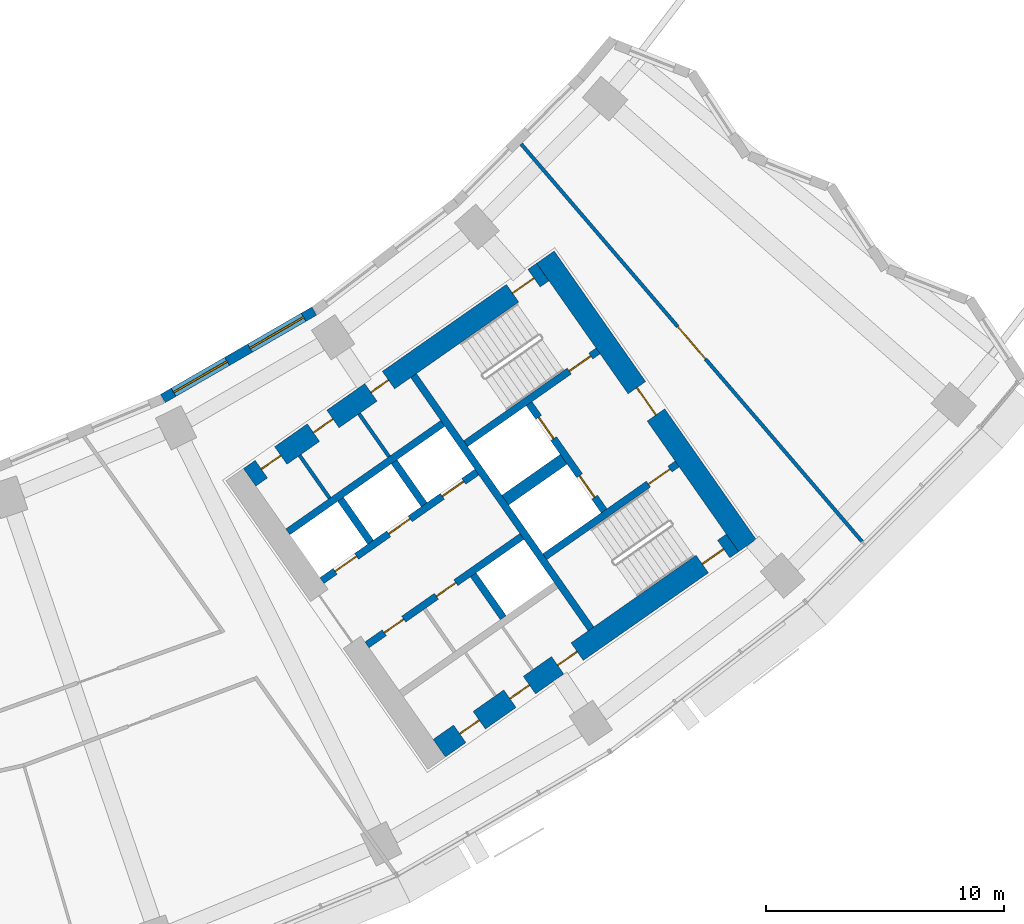
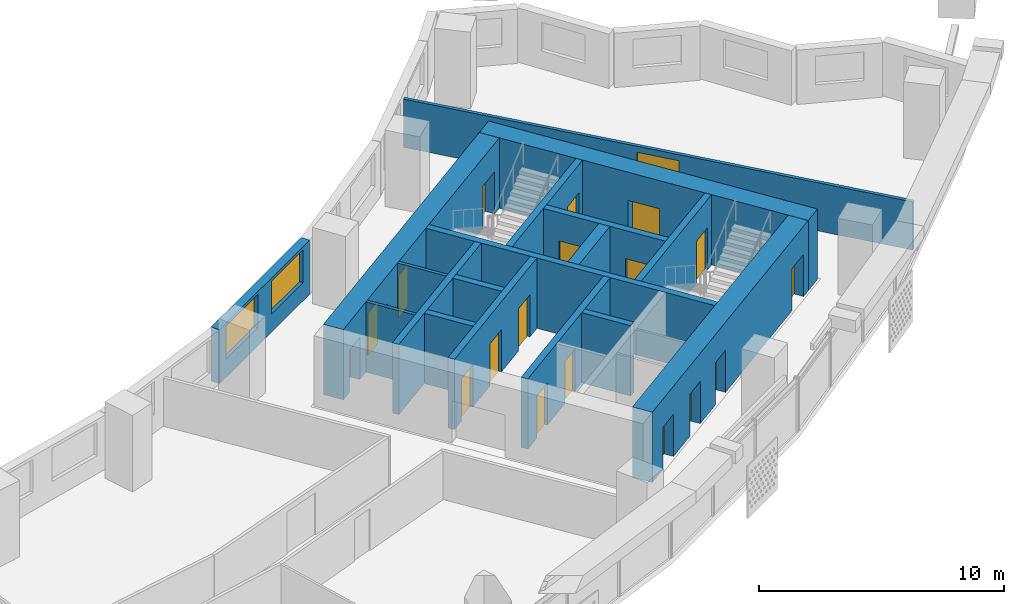
# One storey, part 7 of 29: 19 doors, 18 walls, 2 windows, 21 openings.
"""IFC4 building model written with IfcOpenShell, lengths in metres."""

from ifc_helpers import new_model, si_unit, direction, frame, frame_2d, origin, place, context, subcontext, project, spatial, rectangle, extrude, material, layer, layer_set, type_object, element, fill, save


model = new_model("IFC4")

# Units and contexts
model_context = context("Model", 3, precision=1e-05, world=origin(), true_north=direction((0.0, 1.0)))
body_context = subcontext(model_context, "Body", "Model", "MODEL_VIEW")
ifc_project = project(units=[si_unit("LENGTHUNIT", "METRE"), si_unit("AREAUNIT", "SQUARE_METRE"), si_unit("VOLUMEUNIT", "CUBIC_METRE"), si_unit("PLANEANGLEUNIT", "RADIAN"), si_unit("MASSUNIT", "GRAM", prefix="KILO")], contexts=[model_context])

# Site, building, storey
site_placement = place(None, origin())
site = spatial("IfcSite", under=ifc_project, at=site_placement, CompositionType="ELEMENT")
building_placement = place(site_placement, origin())
building = spatial("IfcBuilding", under=site, at=building_placement, Name="Qamariyya Broadcast Tower", CompositionType="ELEMENT")
storey_placement = place(building_placement, frame((0.0, 0.0, 121.5)))
storey = spatial("IfcBuildingStorey", under=building, at=storey_placement, Name="L27", CompositionType="ELEMENT", Elevation=121.5)

# Wall, opening, door
ifc_material_1 = material(Name="Concrete C70/85", Category="concrete")
ifc_layer_1 = layer(ifc_material_1, 0.89990234375)
ifc_layer_set_1 = layer_set([ifc_layer_1], Name="Core wall 900 mm Concrete C70/85")
wall_type_1 = type_object("IfcWallType", Name="Core wall 900 mm Concrete C70/85", PredefinedType="SHEAR", material=ifc_layer_set_1)
wall_1_placement = place(storey_placement, frame((49.778564453125, -57.191162109375, 0.0), z_axis=(0.0, 0.0, 1.0), x_axis=(-0.573577477574, 0.819151315216, 0.0)))
wall_1 = element("IfcWall", 1, at=wall_1_placement, inside=storey, type_object=wall_type_1, Name="k-E-L27-WH", PredefinedType="SHEAR", context=body_context, shape_type="SweptSolid", body=[
    extrude(rectangle(XDim=14.800048828125, YDim=0.89990234375, at=frame_2d((7.39990234375, 0.0))), origin(), (0.0, 0.0, 1.0), 3.5),
])
opening_1_placement = place(wall_1_placement, frame((6.699951171875, 0.0, 0.0)))
opening_1 = element("IfcOpeningElement", 2, at=opening_1_placement, cuts=wall_1, Name="Opening KD2-E1", PredefinedType="OPENING", context=body_context, shape_type="SweptSolid", body=[
    extrude(rectangle(XDim=1.39990234375, YDim=2.10009765625, at=frame_2d((0.699951171875, 1.050048828125))), frame((0.0, 0.4599609375, 0.0), z_axis=(0.0, -1.0, 0.0), x_axis=(1.0, 0.0, 0.0)), (0.0, 0.0, 1.0), 0.919921875),
])
ifc_material_2 = material(Name="Steel fire-resisting door leaf", Category="steel")
door_type_1 = type_object("IfcDoorType", Name="Fire-fighting lobby door KD2", OperationType="DOUBLE_DOOR_SINGLE_SWING", PredefinedType="DOOR", material=ifc_material_2)
door_1_placement = place(opening_1_placement, origin())
door_1 = element("IfcDoor", 3, at=door_1_placement, inside=storey, type_object=door_type_1, Name="k-E-L27-WH-D15", OperationType="DOUBLE_DOOR_SINGLE_SWING", OverallHeight=2.10009765625, OverallWidth=1.39990234375, PredefinedType="DOOR", context=body_context, shape_type="SweptSolid", body=[
    extrude(rectangle(XDim=1.39990234375, YDim=2.10009765625, at=frame_2d((0.699951171875, 1.050048828125))), frame((0.0, 0.02490234375, 0.0), z_axis=(0.0, -1.0, 0.0), x_axis=(1.0, 0.0, 0.0)), (0.0, 0.0, 1.0), 0.050048828125),
])
fill(opening_1, door_1)

# Wall, openings, doors
wall_2_placement = place(storey_placement, frame((28.8544921875, -54.32421875, 0.0), z_axis=(0.0, 0.0, 1.0), x_axis=(0.819145767589, 0.573585400304, 0.0)))
wall_2 = element("IfcWall", 4, at=wall_2_placement, inside=storey, type_object=wall_type_1, Name="k-E-L27-WI", PredefinedType="SHEAR", context=body_context, shape_type="SweptSolid", body=[
    extrude(rectangle(XDim=15.04541015625, YDim=0.89990234375, at=frame_2d((7.522705078125, 0.0))), origin(), (0.0, 0.0, 1.0), 3.5),
])
opening_2_placement = place(wall_2_placement, frame((0.60009765625, 0.0, 0.0)))
opening_2 = element("IfcOpeningElement", 5, at=opening_2_placement, cuts=wall_2, Name="Opening KD7-E1", PredefinedType="OPENING", context=body_context, shape_type="SweptSolid", body=[
    extrude(rectangle(XDim=1.0, YDim=2.10009765625, at=frame_2d((0.5, 1.050048828125))), frame((0.0, 0.4599609375, 0.0), z_axis=(0.0, -1.0, 0.0), x_axis=(1.0, 0.0, 0.0)), (0.0, 0.0, 1.0), 0.919921875),
])
opening_3_placement = place(wall_2_placement, frame((3.27490234375, 0.0, 0.0)))
opening_3 = element("IfcOpeningElement", 6, at=opening_3_placement, cuts=wall_2, Name="Opening KD6-E2", PredefinedType="OPENING", context=body_context, shape_type="SweptSolid", body=[
    extrude(rectangle(XDim=1.0, YDim=2.10009765625, at=frame_2d((0.5, 1.050048828125))), frame((0.0, 0.4599609375, 0.0), z_axis=(0.0, -1.0, 0.0), x_axis=(1.0, 0.0, 0.0)), (0.0, 0.0, 1.0), 0.919921875),
])
opening_4_placement = place(wall_2_placement, frame((6.22509765625, 0.0, 0.0)))
opening_4 = element("IfcOpeningElement", 7, at=opening_4_placement, cuts=wall_2, Name="Opening KD5-E1", PredefinedType="OPENING", context=body_context, shape_type="SweptSolid", body=[
    extrude(rectangle(XDim=0.89990234375, YDim=2.10009765625, at=frame_2d((0.449951171875, 1.050048828125))), frame((0.0, 0.4599609375, 0.0), z_axis=(0.0, -1.0, 0.0), x_axis=(1.0, 0.0, 0.0)), (0.0, 0.0, 1.0), 0.919921875),
])
opening_5_placement = place(wall_2_placement, frame((13.495361328125, 0.0, 0.0)))
opening_5 = element("IfcOpeningElement", 8, at=opening_5_placement, cuts=wall_2, Name="Opening KD1-E1", PredefinedType="OPENING", context=body_context, shape_type="SweptSolid", body=[
    extrude(rectangle(XDim=1.10009765625, YDim=2.10009765625, at=frame_2d((0.550048828125, 1.050048828125))), frame((0.0, 0.4599609375, 0.0), z_axis=(0.0, -1.0, 0.0), x_axis=(1.0, 0.0, 0.0)), (0.0, 0.0, 1.0), 0.919921875),
])
door_type_2 = type_object("IfcDoorType", Name="Accessible toilet door KD7", OperationType="SINGLE_SWING_LEFT", PredefinedType="DOOR", material=ifc_material_2)
door_2_placement = place(opening_2_placement, origin())
door_2 = element("IfcDoor", 9, at=door_2_placement, inside=storey, type_object=door_type_2, Name="k-E-L27-WI-D7", OperationType="SINGLE_SWING_LEFT", OverallHeight=2.10009765625, OverallWidth=1.0, PredefinedType="DOOR", context=body_context, shape_type="SweptSolid", body=[
    extrude(rectangle(XDim=1.0, YDim=2.10009765625, at=frame_2d((0.5, 1.050048828125))), frame((0.0, 0.02490234375, 0.0), z_axis=(0.0, -1.0, 0.0), x_axis=(1.0, 0.0, 0.0)), (0.0, 0.0, 1.0), 0.050048828125),
])
fill(opening_2, door_2)
door_type_3 = type_object("IfcDoorType", Name="Core room door KD6", OperationType="SINGLE_SWING_LEFT", PredefinedType="DOOR", material=ifc_material_2)
door_3_placement = place(opening_3_placement, origin())
door_3 = element("IfcDoor", 10, at=door_3_placement, inside=storey, type_object=door_type_3, Name="k-E-L27-WI-D8", OperationType="SINGLE_SWING_RIGHT", OverallHeight=2.10009765625, OverallWidth=1.0, PredefinedType="DOOR", context=body_context, shape_type="SweptSolid", body=[
    extrude(rectangle(XDim=1.0, YDim=2.10009765625, at=frame_2d((0.5, 1.050048828125))), frame((0.0, 0.02490234375, 0.0), z_axis=(0.0, -1.0, 0.0), x_axis=(1.0, 0.0, 0.0)), (0.0, 0.0, 1.0), 0.050048828125),
])
fill(opening_3, door_3)
door_type_4 = type_object("IfcDoorType", Name="Stair door KD1", OperationType="SINGLE_SWING_LEFT", PredefinedType="DOOR", material=ifc_material_2)
door_4_placement = place(opening_5_placement, origin())
door_4 = element("IfcDoor", 11, at=door_4_placement, inside=storey, type_object=door_type_4, Name="k-E-L27-WI-D16", OperationType="SINGLE_SWING_RIGHT", OverallHeight=2.10009765625, OverallWidth=1.10009765625, PredefinedType="DOOR", context=body_context, shape_type="SweptSolid", body=[
    extrude(rectangle(XDim=1.10009765625, YDim=2.10009765625, at=frame_2d((0.550048828125, 1.050048828125))), frame((0.0, 0.02490234375, 0.0), z_axis=(0.0, -1.0, 0.0), x_axis=(1.0, 0.0, 0.0)), (0.0, 0.0, 1.0), 0.050048828125),
])
fill(opening_5, door_4)
door_type_5 = type_object("IfcDoorType", Name="Toilet door KD5", OperationType="SINGLE_SWING_LEFT", PredefinedType="DOOR", material=ifc_material_2)
door_5_placement = place(opening_4_placement, origin())
door_5 = element("IfcDoor", 12, at=door_5_placement, inside=storey, type_object=door_type_5, Name="k-E-L27-WI-D9", OperationType="SINGLE_SWING_LEFT", OverallHeight=2.10009765625, OverallWidth=0.89990234375, PredefinedType="DOOR", context=body_context, shape_type="SweptSolid", body=[
    extrude(rectangle(XDim=0.89990234375, YDim=2.10009765625, at=frame_2d((0.449951171875, 1.050048828125))), frame((0.0, 0.02490234375, 0.0), z_axis=(0.0, -1.0, 0.0), x_axis=(1.0, 0.0, 0.0)), (0.0, 0.0, 1.0), 0.050048828125),
])
fill(opening_4, door_5)

wall_3_placement = place(storey_placement, frame((36.827392578125, -65.710205078125, 0.0), z_axis=(0.0, 0.0, 1.0), x_axis=(0.819153391756, 0.573574511963, 0.0)))
wall_3 = element("IfcWall", 13, at=wall_3_placement, inside=storey, type_object=wall_type_1, Name="k-E-L27-WO", PredefinedType="SHEAR", context=body_context, shape_type="SweptSolid", body=[
    extrude(rectangle(XDim=15.04541015625, YDim=0.89990234375, at=frame_2d((7.522705078125, 0.0))), origin(), (0.0, 0.0, 1.0), 3.5),
])
opening_6_placement = place(wall_3_placement, frame((1.050048828125, 0.0, 0.0)))
opening_6 = element("IfcOpeningElement", 14, at=opening_6_placement, cuts=wall_3, Name="Opening KD4-E2", PredefinedType="OPENING", context=body_context, shape_type="SweptSolid", body=[
    extrude(rectangle(XDim=1.0, YDim=2.10009765625, at=frame_2d((0.5, 1.050048828125))), frame((0.0, 0.4599609375, 0.0), z_axis=(0.0, -1.0, 0.0), x_axis=(1.0, 0.0, 0.0)), (0.0, 0.0, 1.0), 0.919921875),
])
opening_7_placement = place(wall_3_placement, frame((3.625, 0.0, 0.0)))
opening_7 = element("IfcOpeningElement", 15, at=opening_7_placement, cuts=wall_3, Name="Opening KD4-E3", PredefinedType="OPENING", context=body_context, shape_type="SweptSolid", body=[
    extrude(rectangle(XDim=1.0, YDim=2.10009765625, at=frame_2d((0.5, 1.050048828125))), frame((0.0, 0.4599609375, 0.0), z_axis=(0.0, -1.0, 0.0), x_axis=(1.0, 0.0, 0.0)), (0.0, 0.0, 1.0), 0.919921875),
])
opening_8_placement = place(wall_3_placement, frame((6.074951171875, 0.0, 0.0)))
opening_8 = element("IfcOpeningElement", 16, at=opening_8_placement, cuts=wall_3, Name="Opening KD6-E3", PredefinedType="OPENING", context=body_context, shape_type="SweptSolid", body=[
    extrude(rectangle(XDim=1.0, YDim=2.10009765625, at=frame_2d((0.5, 1.050048828125))), frame((0.0, 0.4599609375, 0.0), z_axis=(0.0, -1.0, 0.0), x_axis=(1.0, 0.0, 0.0)), (0.0, 0.0, 1.0), 0.919921875),
])
opening_9_placement = place(wall_3_placement, frame((13.495361328125, 0.0, 0.0)))
opening_9 = element("IfcOpeningElement", 17, at=opening_9_placement, cuts=wall_3, Name="Opening KD1-E3", PredefinedType="OPENING", context=body_context, shape_type="SweptSolid", body=[
    extrude(rectangle(XDim=1.10009765625, YDim=2.10009765625, at=frame_2d((0.550048828125, 1.050048828125))), frame((0.0, 0.4599609375, 0.0), z_axis=(0.0, -1.0, 0.0), x_axis=(1.0, 0.0, 0.0)), (0.0, 0.0, 1.0), 0.919921875),
])
door_6_placement = place(opening_8_placement, origin())
door_6 = element("IfcDoor", 18, at=door_6_placement, inside=storey, type_object=door_type_3, Name="k-E-L27-WO-D12", OperationType="SINGLE_SWING_RIGHT", OverallHeight=2.10009765625, OverallWidth=1.0, PredefinedType="DOOR", context=body_context, shape_type="SweptSolid", body=[
    extrude(rectangle(XDim=1.0, YDim=2.10009765625, at=frame_2d((0.5, 1.050048828125))), frame((0.0, 0.02490234375, 0.0), z_axis=(0.0, -1.0, 0.0), x_axis=(1.0, 0.0, 0.0)), (0.0, 0.0, 1.0), 0.050048828125),
])
fill(opening_8, door_6)
door_type_6 = type_object("IfcDoorType", Name="Riser and plant door KD4", OperationType="SINGLE_SWING_LEFT", PredefinedType="DOOR", material=ifc_material_2)
door_7_placement = place(opening_6_placement, origin())
door_7 = element("IfcDoor", 19, at=door_7_placement, inside=storey, type_object=door_type_6, Name="k-E-L27-WO-D10", OperationType="SINGLE_SWING_RIGHT", OverallHeight=2.10009765625, OverallWidth=1.0, PredefinedType="DOOR", context=body_context, shape_type="SweptSolid", body=[
    extrude(rectangle(XDim=1.0, YDim=2.10009765625, at=frame_2d((0.5, 1.050048828125))), frame((0.0, 0.02490234375, 0.0), z_axis=(0.0, -1.0, 0.0), x_axis=(1.0, 0.0, 0.0)), (0.0, 0.0, 1.0), 0.050048828125),
])
fill(opening_6, door_7)
door_8_placement = place(opening_7_placement, origin())
door_8 = element("IfcDoor", 20, at=door_8_placement, inside=storey, type_object=door_type_6, Name="k-E-L27-WO-D11", OperationType="SINGLE_SWING_LEFT", OverallHeight=2.10009765625, OverallWidth=1.0, PredefinedType="DOOR", context=body_context, shape_type="SweptSolid", body=[
    extrude(rectangle(XDim=1.0, YDim=2.10009765625, at=frame_2d((0.5, 1.050048828125))), frame((0.0, 0.02490234375, 0.0), z_axis=(0.0, -1.0, 0.0), x_axis=(1.0, 0.0, 0.0)), (0.0, 0.0, 1.0), 0.050048828125),
])
fill(opening_7, door_8)
door_9_placement = place(opening_9_placement, origin())
door_9 = element("IfcDoor", 21, at=door_9_placement, inside=storey, type_object=door_type_4, Name="k-E-L27-WO-D18", OperationType="SINGLE_SWING_LEFT", OverallHeight=2.10009765625, OverallWidth=1.10009765625, PredefinedType="DOOR", context=body_context, shape_type="SweptSolid", body=[
    extrude(rectangle(XDim=1.10009765625, YDim=2.10009765625, at=frame_2d((0.550048828125, 1.050048828125))), frame((0.0, 0.02490234375, 0.0), z_axis=(0.0, -1.0, 0.0), x_axis=(1.0, 0.0, 0.0)), (0.0, 0.0, 1.0), 0.050048828125),
])
fill(opening_9, door_9)

# Wall, opening, door
ifc_material_3 = material(Name="Gypsum board partition")
ifc_layer_2 = layer(ifc_material_3, 0.14990234375)
ifc_layer_set_2 = layer_set([ifc_layer_2], Name="Corridor partition 150 EI 60")
wall_type_2 = type_object("IfcWallType", Name="Corridor partition 150 EI 60", PredefinedType="PARTITIONING", material=ifc_layer_set_2)
wall_4_placement = place(storey_placement, frame((40.267578125, -40.310791015625, 0.0), z_axis=(0.0, 0.0, 1.0), x_axis=(0.650987681244, -0.759088294514, 0.0)))
wall_4 = element("IfcWall", 22, at=wall_4_placement, inside=storey, type_object=wall_type_2, Name="Partition L27-036", PredefinedType="PARTITIONING", context=body_context, shape_type="SweptSolid", body=[
    extrude(rectangle(XDim=22.017822265625, YDim=0.14990234375, at=frame_2d((11.0087890625, 0.0))), origin(), (0.0, 0.0, 1.0), 2.39990234375),
])
opening_10_placement = place(wall_4_placement, frame((10.10888671875, 0.0, 0.0)))
opening_10 = element("IfcOpeningElement", 23, at=opening_10_placement, cuts=wall_4, Name="Opening L27-D16", PredefinedType="OPENING", context=body_context, shape_type="SweptSolid", body=[
    extrude(rectangle(XDim=1.800048828125, YDim=2.10009765625, at=frame_2d((0.89990234375, 1.050048828125))), frame((0.0, 0.0849609375, 0.0), z_axis=(0.0, -1.0, 0.0), x_axis=(1.0, 0.0, 0.0)), (0.0, 0.0, 1.0), 0.169921875),
])
ifc_material_4 = material(Name="Timber fire door leaf", Category="wood")
door_type_7 = type_object("IfcDoorType", Name="Double fire door 1800 x 2100 FD60", OperationType="NOTDEFINED", PredefinedType="DOOR", material=ifc_material_4)
door_10_placement = place(opening_10_placement, origin())
door_10 = element("IfcDoor", 24, at=door_10_placement, inside=storey, type_object=door_type_7, Name="Door L27-D16", OperationType="DOUBLE_DOOR_SINGLE_SWING", OverallHeight=2.10009765625, OverallWidth=1.800048828125, PredefinedType="DOOR", context=body_context, shape_type="SweptSolid", body=[
    extrude(rectangle(XDim=1.800048828125, YDim=2.10009765625, at=frame_2d((0.89990234375, 1.050048828125))), frame((0.0, 0.02490234375, 0.0), z_axis=(0.0, -1.0, 0.0), x_axis=(1.0, 0.0, 0.0)), (0.0, 0.0, 1.0), 0.050048828125),
])
fill(opening_10, door_10)

# Walls
ifc_material_5 = material(Name="Concrete C60/75", Category="concrete")
ifc_layer_3 = layer(ifc_material_5, 0.5)
ifc_layer_set_3 = layer_set([ifc_layer_3], Name="Fire-fighting lobby divider wall 500 mm Concrete C60/75")
wall_type_3 = type_object("IfcWallType", Name="Fire-fighting lobby divider wall 500 mm Concrete C60/75", PredefinedType="SOLIDWALL", material=ifc_layer_set_3)
wall_5_placement = place(storey_placement, frame((39.59912109375, -55.28515625, 0.0), z_axis=(0.0, 0.0, 1.0), x_axis=(0.819136323161, 0.573598887793, 0.0)))
element("IfcWall", 25, at=wall_5_placement, inside=storey, type_object=wall_type_3, Name="k-E-L27-FD", PredefinedType="SOLIDWALL", context=body_context, shape_type="SweptSolid", body=[
    extrude(rectangle(XDim=2.999755859375, YDim=0.5, at=frame_2d((1.5, 0.0))), origin(), (0.0, 0.0, 1.0), 3.5),
])
ifc_material_6 = material(Name="Gypsum board partition on steel studs", Category="steel")
ifc_layer_4 = layer(ifc_material_6, 0.14990234375)
ifc_layer_set_4 = layer_set([ifc_layer_4], Name="Gypsum board partition 150 mm")
wall_type_4 = type_object("IfcWallType", Name="Gypsum board partition 150 mm", PredefinedType="PARTITIONING", material=ifc_layer_set_4)
wall_6_placement = place(storey_placement, frame((32.2177734375, -55.204345703125, 0.0), z_axis=(0.0, 0.0, 1.0), x_axis=(-0.573581496053, 0.819148501424, 0.0)))
element("IfcWall", 26, at=wall_6_placement, inside=storey, type_object=wall_type_4, Name="k-E-L27-NP225", PredefinedType="PARTITIONING", context=body_context, shape_type="SweptSolid", body=[
    extrude(rectangle(XDim=2.2001953125, YDim=0.14990234375, at=frame_2d((1.10009765625, 0.0))), origin(), (0.0, 0.0, 1.0), 3.5),
])
wall_7_placement = place(storey_placement, frame((34.716064453125, -53.454833984375, 0.0), z_axis=(0.0, 0.0, 1.0), x_axis=(-0.573507030513, 0.819200638399, 0.0)))
element("IfcWall", 27, at=wall_7_placement, inside=storey, type_object=wall_type_4, Name="k-E-L27-NP530", PredefinedType="PARTITIONING", context=body_context, shape_type="SweptSolid", body=[
    extrude(rectangle(XDim=2.199951171875, YDim=0.14990234375, at=frame_2d((1.10009765625, 0.0))), origin(), (0.0, 0.0, 1.0), 3.5),
])
ifc_layer_5 = layer(ifc_material_5, 0.300048828125)
ifc_layer_set_5 = layer_set([ifc_layer_5], Name="Lift shaft wall 300 mm Concrete C60/75")
wall_type_5 = type_object("IfcWallType", Name="Lift shaft wall 300 mm Concrete C60/75", PredefinedType="SOLIDWALL", material=ifc_layer_set_5)
wall_8_placement = place(storey_placement, frame((43.204345703125, -60.69580078125, 0.0), z_axis=(0.0, 0.0, 1.0), x_axis=(-0.573571992966, 0.819155155563, 0.0)))
element("IfcWall", 28, at=wall_8_placement, inside=storey, type_object=wall_type_5, Name="k-E-L27-WL", PredefinedType="SOLIDWALL", context=body_context, shape_type="SweptSolid", body=[
    extrude(rectangle(XDim=13.000244140625, YDim=0.300048828125, at=frame_2d((6.5, 0.0))), origin(), (0.0, 0.0, 1.0), 3.5),
])

# Wall, openings, doors
wall_9_placement = place(storey_placement, frame((31.89453125, -58.66552734375, 0.0), z_axis=(0.0, 0.0, 1.0), x_axis=(0.819166993208, 0.573555086491, 0.0)))
wall_9 = element("IfcWall", 29, at=wall_9_placement, inside=storey, type_object=wall_type_5, Name="k-E-L27-NF0", PredefinedType="SOLIDWALL", context=body_context, shape_type="SweptSolid", body=[
    extrude(rectangle(XDim=7.9501953125, YDim=0.300048828125, at=frame_2d((3.97509765625, 0.0))), origin(), (0.0, 0.0, 1.0), 3.5),
])
opening_11_placement = place(wall_9_placement, frame((0.675048828125, 0.0, 0.0)))
opening_11 = element("IfcOpeningElement", 30, at=opening_11_placement, cuts=wall_9, Name="Opening LD", PredefinedType="OPENING", context=body_context, shape_type="SweptSolid", body=[
    extrude(rectangle(XDim=1.10009765625, YDim=2.10009765625, at=frame_2d((0.550048828125, 1.050048828125))), frame((0.0, 0.159912109375, 0.0), z_axis=(0.0, -1.0, 0.0), x_axis=(1.0, 0.0, 0.0)), (0.0, 0.0, 1.0), 0.320068359375),
])
opening_12_placement = place(wall_9_placement, frame((3.425048828125, 0.0, 0.0)))
opening_12 = element("IfcOpeningElement", 31, at=opening_12_placement, cuts=wall_9, Name="Opening LD", PredefinedType="OPENING", context=body_context, shape_type="SweptSolid", body=[
    extrude(rectangle(XDim=1.10009765625, YDim=2.10009765625, at=frame_2d((0.550048828125, 1.050048828125))), frame((0.0, 0.159912109375, 0.0), z_axis=(0.0, -1.0, 0.0), x_axis=(1.0, 0.0, 0.0)), (0.0, 0.0, 1.0), 0.320068359375),
])
opening_13_placement = place(wall_9_placement, frame((6.175048828125, 0.0, 0.0)))
opening_13 = element("IfcOpeningElement", 32, at=opening_13_placement, cuts=wall_9, Name="Opening LD", PredefinedType="OPENING", context=body_context, shape_type="SweptSolid", body=[
    extrude(rectangle(XDim=1.10009765625, YDim=2.10009765625, at=frame_2d((0.550048828125, 1.050048828125))), frame((0.0, 0.159912109375, 0.0), z_axis=(0.0, -1.0, 0.0), x_axis=(1.0, 0.0, 0.0)), (0.0, 0.0, 1.0), 0.320068359375),
])
door_type_8 = type_object("IfcDoorType", Name="Lift landing door LD", OperationType="DOUBLE_DOOR_SLIDING", PredefinedType="DOOR", material=ifc_material_2)
door_11_placement = place(opening_11_placement, origin())
door_11 = element("IfcDoor", 33, at=door_11_placement, inside=storey, type_object=door_type_8, Name="k-E-L27-NF0-D2", OperationType="DOUBLE_DOOR_SLIDING", OverallHeight=2.10009765625, OverallWidth=1.10009765625, PredefinedType="DOOR", context=body_context, shape_type="SweptSolid", body=[
    extrude(rectangle(XDim=1.10009765625, YDim=2.10009765625, at=frame_2d((0.550048828125, 1.050048828125))), frame((0.0, 0.02490234375, 0.0), z_axis=(0.0, -1.0, 0.0), x_axis=(1.0, 0.0, 0.0)), (0.0, 0.0, 1.0), 0.050048828125),
])
fill(opening_11, door_11)
door_12_placement = place(opening_12_placement, origin())
door_12 = element("IfcDoor", 34, at=door_12_placement, inside=storey, type_object=door_type_8, Name="k-E-L27-NF0-D3", OperationType="DOUBLE_DOOR_SLIDING", OverallHeight=2.10009765625, OverallWidth=1.10009765625, PredefinedType="DOOR", context=body_context, shape_type="SweptSolid", body=[
    extrude(rectangle(XDim=1.10009765625, YDim=2.10009765625, at=frame_2d((0.550048828125, 1.050048828125))), frame((0.0, 0.02490234375, 0.0), z_axis=(0.0, -1.0, 0.0), x_axis=(1.0, 0.0, 0.0)), (0.0, 0.0, 1.0), 0.050048828125),
])
fill(opening_12, door_12)
door_13_placement = place(opening_13_placement, origin())
door_13 = element("IfcDoor", 35, at=door_13_placement, inside=storey, type_object=door_type_8, Name="k-E-L27-NF0-D4", OperationType="DOUBLE_DOOR_SLIDING", OverallHeight=2.10009765625, OverallWidth=1.10009765625, PredefinedType="DOOR", context=body_context, shape_type="SweptSolid", body=[
    extrude(rectangle(XDim=1.10009765625, YDim=2.10009765625, at=frame_2d((0.550048828125, 1.050048828125))), frame((0.0, 0.02490234375, 0.0), z_axis=(0.0, -1.0, 0.0), x_axis=(1.0, 0.0, 0.0)), (0.0, 0.0, 1.0), 0.050048828125),
])
fill(opening_13, door_13)

# Walls
wall_10_placement = place(storey_placement, frame((30.460693359375, -56.61767578125, 0.0), z_axis=(0.0, 0.0, 1.0), x_axis=(0.819142461705, 0.573590121456, 0.0)))
element("IfcWall", 36, at=wall_10_placement, inside=storey, type_object=wall_type_5, Name="k-E-L27-NB0", PredefinedType="SOLIDWALL", context=body_context, shape_type="SweptSolid", body=[
    extrude(rectangle(XDim=7.949951171875, YDim=0.300048828125, at=frame_2d((3.97509765625, 0.0))), origin(), (0.0, 0.0, 1.0), 3.5),
])
wall_11_placement = place(storey_placement, frame((33.9384765625, -57.051513671875, 0.0), z_axis=(0.0, 0.0, 1.0), x_axis=(-0.573581496053, 0.819148501424, 0.0)))
element("IfcWall", 37, at=wall_11_placement, inside=storey, type_object=wall_type_5, Name="k-E-L27-ND0", PredefinedType="SOLIDWALL", context=body_context, shape_type="SweptSolid", body=[
    extrude(rectangle(XDim=2.2001953125, YDim=0.300048828125, at=frame_2d((1.10009765625, 0.0))), origin(), (0.0, 0.0, 1.0), 3.5),
])
wall_12_placement = place(storey_placement, frame((36.19091796875, -55.47412109375, 0.0), z_axis=(0.0, 0.0, 1.0), x_axis=(-0.573507030513, 0.819200638399, 0.0)))
element("IfcWall", 38, at=wall_12_placement, inside=storey, type_object=wall_type_5, Name="k-E-L27-ND1", PredefinedType="SOLIDWALL", context=body_context, shape_type="SweptSolid", body=[
    extrude(rectangle(XDim=2.199951171875, YDim=0.300048828125, at=frame_2d((1.10009765625, 0.0))), origin(), (0.0, 0.0, 1.0), 3.5),
])

# Wall, openings, doors
wall_13_placement = place(storey_placement, frame((33.787353515625, -61.368896484375, 0.0), z_axis=(0.0, 0.0, 1.0), x_axis=(0.819152564888, 0.573575692858, 0.0)))
wall_13 = element("IfcWall", 39, at=wall_13_placement, inside=storey, type_object=wall_type_5, Name="k-E-L27-SF0", PredefinedType="SOLIDWALL", context=body_context, shape_type="SweptSolid", body=[
    extrude(rectangle(XDim=7.9501953125, YDim=0.300048828125, at=frame_2d((3.97509765625, 0.0))), origin(), (0.0, 0.0, 1.0), 3.5),
])
opening_14_placement = place(wall_13_placement, frame((0.887451171875, 0.0, 0.0)))
opening_14 = element("IfcOpeningElement", 40, at=opening_14_placement, cuts=wall_13, Name="Opening KD4-E1", PredefinedType="OPENING", context=body_context, shape_type="SweptSolid", body=[
    extrude(rectangle(XDim=1.0, YDim=2.10009765625, at=frame_2d((0.5, 1.050048828125))), frame((0.0, 0.159912109375, 0.0), z_axis=(0.0, -1.0, 0.0), x_axis=(1.0, 0.0, 0.0)), (0.0, 0.0, 1.0), 0.320068359375),
])
opening_15_placement = place(wall_13_placement, frame((3.5625, 0.0, 0.0)))
opening_15 = element("IfcOpeningElement", 41, at=opening_15_placement, cuts=wall_13, Name="Opening KD6-E1", PredefinedType="OPENING", context=body_context, shape_type="SweptSolid", body=[
    extrude(rectangle(XDim=1.0, YDim=2.10009765625, at=frame_2d((0.5, 1.050048828125))), frame((0.0, 0.159912109375, 0.0), z_axis=(0.0, -1.0, 0.0), x_axis=(1.0, 0.0, 0.0)), (0.0, 0.0, 1.0), 0.320068359375),
])
door_14_placement = place(opening_15_placement, origin())
door_14 = element("IfcDoor", 42, at=door_14_placement, inside=storey, type_object=door_type_3, Name="k-E-L27-SF0-D6", OperationType="SINGLE_SWING_RIGHT", OverallHeight=2.10009765625, OverallWidth=1.0, PredefinedType="DOOR", context=body_context, shape_type="SweptSolid", body=[
    extrude(rectangle(XDim=1.0, YDim=2.10009765625, at=frame_2d((0.5, 1.050048828125))), frame((0.0, 0.02490234375, 0.0), z_axis=(0.0, -1.0, 0.0), x_axis=(1.0, 0.0, 0.0)), (0.0, 0.0, 1.0), 0.050048828125),
])
fill(opening_15, door_14)
door_15_placement = place(opening_14_placement, origin())
door_15 = element("IfcDoor", 43, at=door_15_placement, inside=storey, type_object=door_type_6, Name="k-E-L27-SF0-D5", OperationType="SINGLE_SWING_LEFT", OverallHeight=2.10009765625, OverallWidth=1.0, PredefinedType="DOOR", context=body_context, shape_type="SweptSolid", body=[
    extrude(rectangle(XDim=1.0, YDim=2.10009765625, at=frame_2d((0.5, 1.050048828125))), frame((0.0, 0.02490234375, 0.0), z_axis=(0.0, -1.0, 0.0), x_axis=(1.0, 0.0, 0.0)), (0.0, 0.0, 1.0), 0.050048828125),
])
fill(opening_14, door_15)

# Wall
wall_14_placement = place(storey_placement, frame((38.255859375, -58.423095703125, 0.0), z_axis=(0.0, 0.0, 1.0), x_axis=(0.573633636671, -0.819111989218, 0.0)))
element("IfcWall", 44, at=wall_14_placement, inside=storey, type_object=wall_type_5, Name="k-E-L27-SD1", PredefinedType="SOLIDWALL", context=body_context, shape_type="SweptSolid", body=[
    extrude(rectangle(XDim=2.199951171875, YDim=0.300048828125, at=frame_2d((1.10009765625, 0.0))), origin(), (0.0, 0.0, 1.0), 3.5),
])

# Wall, opening, door
wall_15_placement = place(storey_placement, frame((37.935546875, -52.90966796875, 0.0), z_axis=(0.0, 0.0, 1.0), x_axis=(0.819147518138, 0.57358290031, 0.0)))
wall_15 = element("IfcWall", 45, at=wall_15_placement, inside=storey, type_object=wall_type_5, Name="k-E-L27-NW", PredefinedType="SOLIDWALL", context=body_context, shape_type="SweptSolid", body=[
    extrude(rectangle(XDim=6.79541015625, YDim=0.300048828125, at=frame_2d((3.397705078125, 0.0))), origin(), (0.0, 0.0, 1.0), 3.5),
])
opening_16_placement = place(wall_15_placement, frame((5.3203125, 0.0, 0.0)))
opening_16 = element("IfcOpeningElement", 46, at=opening_16_placement, cuts=wall_15, Name="Opening KD1-E2", PredefinedType="OPENING", context=body_context, shape_type="SweptSolid", body=[
    extrude(rectangle(XDim=1.10009765625, YDim=2.10009765625, at=frame_2d((0.550048828125, 1.050048828125))), frame((0.0, 0.159912109375, 0.0), z_axis=(0.0, -1.0, 0.0), x_axis=(1.0, 0.0, 0.0)), (0.0, 0.0, 1.0), 0.320068359375),
])
door_16_placement = place(opening_16_placement, origin())
door_16 = element("IfcDoor", 47, at=door_16_placement, inside=storey, type_object=door_type_4, Name="k-E-L27-NW-D17", OperationType="SINGLE_SWING_LEFT", OverallHeight=2.10009765625, OverallWidth=1.10009765625, PredefinedType="DOOR", context=body_context, shape_type="SweptSolid", body=[
    extrude(rectangle(XDim=1.10009765625, YDim=2.10009765625, at=frame_2d((0.550048828125, 1.050048828125))), frame((0.0, 0.02490234375, 0.0), z_axis=(0.0, -1.0, 0.0), x_axis=(1.0, 0.0, 0.0)), (0.0, 0.0, 1.0), 0.050048828125),
])
fill(opening_16, door_16)

wall_16_placement = place(storey_placement, frame((41.262451171875, -57.66064453125, 0.0), z_axis=(0.0, 0.0, 1.0), x_axis=(0.819164398642, 0.573558792102, 0.0)))
wall_16 = element("IfcWall", 48, at=wall_16_placement, inside=storey, type_object=wall_type_5, Name="k-E-L27-SW", PredefinedType="SOLIDWALL", context=body_context, shape_type="SweptSolid", body=[
    extrude(rectangle(XDim=6.795166015625, YDim=0.300048828125, at=frame_2d((3.3974609375, 0.0))), origin(), (0.0, 0.0, 1.0), 3.5),
])
opening_17_placement = place(wall_16_placement, frame((5.3203125, 0.0, 0.0)))
opening_17 = element("IfcOpeningElement", 49, at=opening_17_placement, cuts=wall_16, Name="Opening KD1-E4", PredefinedType="OPENING", context=body_context, shape_type="SweptSolid", body=[
    extrude(rectangle(XDim=1.10009765625, YDim=2.10009765625, at=frame_2d((0.550048828125, 1.050048828125))), frame((0.0, 0.159912109375, 0.0), z_axis=(0.0, -1.0, 0.0), x_axis=(1.0, 0.0, 0.0)), (0.0, 0.0, 1.0), 0.320068359375),
])
door_17_placement = place(opening_17_placement, origin())
door_17 = element("IfcDoor", 50, at=door_17_placement, inside=storey, type_object=door_type_4, Name="k-E-L27-SW-D19", OperationType="SINGLE_SWING_LEFT", OverallHeight=2.10009765625, OverallWidth=1.10009765625, PredefinedType="DOOR", context=body_context, shape_type="SweptSolid", body=[
    extrude(rectangle(XDim=1.10009765625, YDim=2.10009765625, at=frame_2d((0.550048828125, 1.050048828125))), frame((0.0, 0.02490234375, 0.0), z_axis=(0.0, -1.0, 0.0), x_axis=(1.0, 0.0, 0.0)), (0.0, 0.0, 1.0), 0.050048828125),
])
fill(opening_17, door_17)

# Wall, openings, doors
wall_17_placement = place(storey_placement, frame((43.756591796875, -55.731201171875, 0.0), z_axis=(0.0, 0.0, 1.0), x_axis=(-0.573536818435, 0.819179783625, 0.0)))
wall_17 = element("IfcWall", 51, at=wall_17_placement, inside=storey, type_object=wall_type_5, Name="k-E-L27-FF", PredefinedType="SOLIDWALL", context=body_context, shape_type="SweptSolid", body=[
    extrude(rectangle(XDim=5.500244140625, YDim=0.300048828125, at=frame_2d((2.75, 0.0))), origin(), (0.0, 0.0, 1.0), 3.5),
])
opening_18_placement = place(wall_17_placement, frame((0.699951171875, 0.0, 0.0)))
opening_18 = element("IfcOpeningElement", 52, at=opening_18_placement, cuts=wall_17, Name="Opening LD", PredefinedType="OPENING", context=body_context, shape_type="SweptSolid", body=[
    extrude(rectangle(XDim=1.10009765625, YDim=2.10009765625, at=frame_2d((0.550048828125, 1.050048828125))), frame((0.0, 0.159912109375, 0.0), z_axis=(0.0, -1.0, 0.0), x_axis=(1.0, 0.0, 0.0)), (0.0, 0.0, 1.0), 0.320068359375),
])
opening_19_placement = place(wall_17_placement, frame((3.699951171875, 0.0, 0.0)))
opening_19 = element("IfcOpeningElement", 53, at=opening_19_placement, cuts=wall_17, Name="Opening LD", PredefinedType="OPENING", context=body_context, shape_type="SweptSolid", body=[
    extrude(rectangle(XDim=1.10009765625, YDim=2.10009765625, at=frame_2d((0.550048828125, 1.050048828125))), frame((0.0, 0.159912109375, 0.0), z_axis=(0.0, -1.0, 0.0), x_axis=(1.0, 0.0, 0.0)), (0.0, 0.0, 1.0), 0.320068359375),
])
door_18_placement = place(opening_18_placement, origin())
door_18 = element("IfcDoor", 54, at=door_18_placement, inside=storey, type_object=door_type_8, Name="k-E-L27-FF-D13", OperationType="DOUBLE_DOOR_SLIDING", OverallHeight=2.10009765625, OverallWidth=1.10009765625, PredefinedType="DOOR", context=body_context, shape_type="SweptSolid", body=[
    extrude(rectangle(XDim=1.10009765625, YDim=2.10009765625, at=frame_2d((0.550048828125, 1.050048828125))), frame((0.0, 0.02490234375, 0.0), z_axis=(0.0, -1.0, 0.0), x_axis=(1.0, 0.0, 0.0)), (0.0, 0.0, 1.0), 0.050048828125),
])
fill(opening_18, door_18)
door_19_placement = place(opening_19_placement, origin())
door_19 = element("IfcDoor", 55, at=door_19_placement, inside=storey, type_object=door_type_8, Name="k-E-L27-FF-D14", OperationType="DOUBLE_DOOR_SLIDING", OverallHeight=2.10009765625, OverallWidth=1.10009765625, PredefinedType="DOOR", context=body_context, shape_type="SweptSolid", body=[
    extrude(rectangle(XDim=1.10009765625, YDim=2.10009765625, at=frame_2d((0.550048828125, 1.050048828125))), frame((0.0, 0.02490234375, 0.0), z_axis=(0.0, -1.0, 0.0), x_axis=(1.0, 0.0, 0.0)), (0.0, 0.0, 1.0), 0.050048828125),
])
fill(opening_19, door_19)

# Wall, openings, windows
ifc_material_7 = material(Name="Terracotta", Category="masonry")
ifc_layer_6 = layer(ifc_material_7, 0.39990234375)
ifc_layer_set_6 = layer_set([ifc_layer_6], Name="Terracotta clad wall 400")
wall_type_6 = type_object("IfcWallType", Name="Terracotta clad wall 400", PredefinedType="SOLIDWALL", material=ifc_layer_set_6)
wall_18_placement = place(storey_placement, frame((31.568359375, -47.33642578125, 0.0), z_axis=(0.0, 0.0, 1.0), x_axis=(-0.866030525931, -0.499991128077, 0.0)))
wall_18 = element("IfcWall", 56, at=wall_18_placement, inside=storey, type_object=wall_type_6, Name="e-wl-L27-in130", PredefinedType="SOLIDWALL", context=body_context, shape_type="SweptSolid", body=[
    extrude(rectangle(XDim=7.341552734375, YDim=0.39990234375, at=frame_2d((3.6708984375, 0.0))), origin(), (0.0, 0.0, 1.0), 2.699951171875),
])
opening_20_placement = place(wall_18_placement, frame((4.224853515625, 0.0, 0.89990234375)))
opening_20 = element("IfcOpeningElement", 57, at=opening_20_placement, cuts=wall_18, Name="Opening W1", PredefinedType="OPENING", context=body_context, shape_type="SweptSolid", body=[
    extrude(rectangle(XDim=2.60009765625, YDim=1.64990234375, at=frame_2d((1.300048828125, 0.824951171875))), frame((0.0, 0.2099609375, 0.0), z_axis=(0.0, -1.0, 0.0), x_axis=(1.0, 0.0, 0.0)), (0.0, 0.0, 1.0), 0.419921875),
])
opening_21_placement = place(wall_18_placement, frame((0.5166015625, 0.0, 0.89990234375)))
opening_21 = element("IfcOpeningElement", 58, at=opening_21_placement, cuts=wall_18, Name="Opening W1", PredefinedType="OPENING", context=body_context, shape_type="SweptSolid", body=[
    extrude(rectangle(XDim=2.60009765625, YDim=1.64990234375, at=frame_2d((1.300048828125, 0.824951171875))), frame((0.0, 0.2099609375, 0.0), z_axis=(0.0, -1.0, 0.0), x_axis=(1.0, 0.0, 0.0)), (0.0, 0.0, 1.0), 0.419921875),
])
ifc_material_8 = material(Name="Clear low-e double glazed unit in aluminium frame", Category="aluminium")
window_type = type_object("IfcWindowType", Name="Ribbon window 2600 x 1650", PartitioningType="SINGLE_PANEL", PredefinedType="WINDOW", material=ifc_material_8)
window_1_placement = place(opening_20_placement, origin())
window_1 = element("IfcWindow", 59, at=window_1_placement, inside=storey, type_object=window_type, Name="e-w-L27-in13-0", OverallHeight=1.64990234375, OverallWidth=2.60009765625, PartitioningType="SINGLE_PANEL", PredefinedType="WINDOW", context=body_context, shape_type="SweptSolid", body=[
    extrude(rectangle(XDim=2.60009765625, YDim=1.64990234375, at=frame_2d((1.300048828125, 0.824951171875))), frame((0.0, 0.030029296875, 0.0), z_axis=(0.0, -1.0, 0.0), x_axis=(1.0, 0.0, 0.0)), (0.0, 0.0, 1.0), 0.06005859375),
])
fill(opening_20, window_1)
window_2_placement = place(opening_21_placement, origin())
window_2 = element("IfcWindow", 60, at=window_2_placement, inside=storey, type_object=window_type, Name="e-w-L27-in13-1", OverallHeight=1.64990234375, OverallWidth=2.60009765625, PartitioningType="SINGLE_PANEL", PredefinedType="WINDOW", context=body_context, shape_type="SweptSolid", body=[
    extrude(rectangle(XDim=2.60009765625, YDim=1.64990234375, at=frame_2d((1.300048828125, 0.824951171875))), frame((0.0, 0.030029296875, 0.0), z_axis=(0.0, -1.0, 0.0), x_axis=(1.0, 0.0, 0.0)), (0.0, 0.0, 1.0), 0.06005859375),
])
fill(opening_21, window_2)

save(model, "model.ifc")
